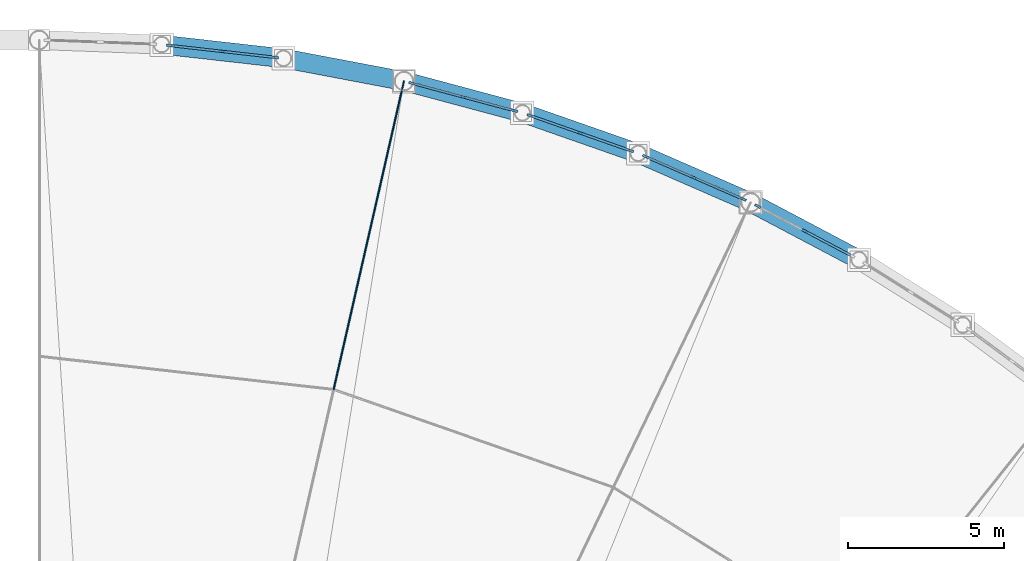
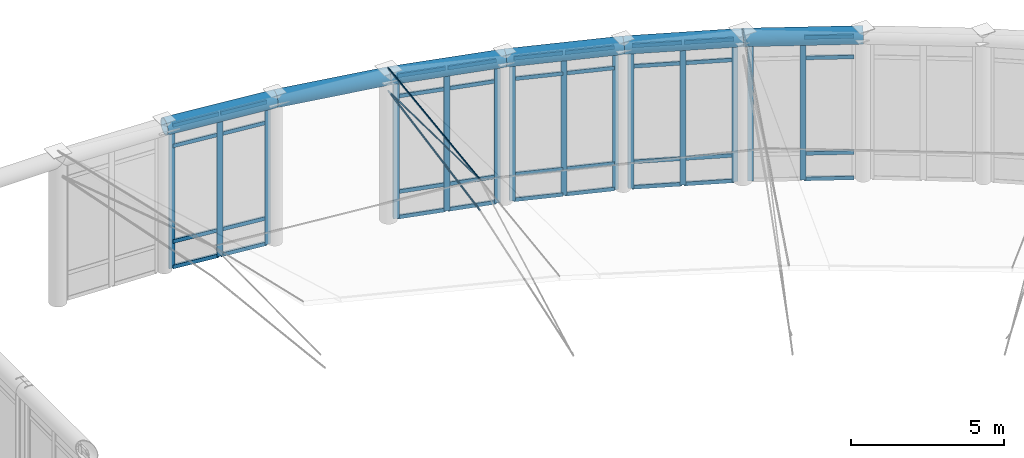
# One storey, part 60 of 101: 53 members, 6 beams, 5 elements without a shape of their own.
"""IFC4 building model written with IfcOpenShell, lengths in metres."""

from ifc_helpers import new_model, si_unit, direction, frame, origin, origin_2d, place, context, subcontext, project, spatial, rectangle, circle, hollow_circle, extrude, material, layer, layer_set, material_profile, profile_set, type_object, element, aggregate, save


model = new_model("IFC4")

# Units and contexts
model_context = context("Model", 3, precision=1e-05, world=origin(), true_north=direction((0.0, 1.0)))
body_context = subcontext(model_context, "Body", "Model", "MODEL_VIEW")
ifc_project = project(units=[si_unit("LENGTHUNIT", "METRE"), si_unit("AREAUNIT", "SQUARE_METRE"), si_unit("VOLUMEUNIT", "CUBIC_METRE"), si_unit("PLANEANGLEUNIT", "RADIAN"), si_unit("MASSUNIT", "GRAM", prefix="KILO"), si_unit("THERMODYNAMICTEMPERATUREUNIT", "KELVIN"), si_unit("POWERUNIT", "WATT")], contexts=[model_context])

# Site, building, storey
site_placement = place(None, origin())
site = spatial("IfcSite", under=ifc_project, at=site_placement, CompositionType="ELEMENT")
building_placement = place(site_placement, origin())
building = spatial("IfcBuilding", under=site, at=building_placement, Name="Tembeka Court Mobility Hub", CompositionType="ELEMENT")
storey_placement = place(building_placement, frame((0.0, 0.0, 5.39990234375)))
storey = spatial("IfcBuildingStorey", under=building, at=storey_placement, Name="L01", CompositionType="ELEMENT", Elevation=5.39990234375)

# Beams
ifc_material_1 = material(Name="Steel S355", Category="steel")
ifc_material_profile_1 = material_profile(ifc_material_1, hollow_circle(Radius=0.304931640625, WallThickness=0.02001953125, at=origin_2d()), Name="CHS 610x20")
ifc_profile_set_1 = profile_set([ifc_material_profile_1], Name="Steel S355")
beam_type = type_object("IfcBeamType", Name="BM-RB01", PredefinedType="BEAM", material=ifc_profile_set_1)
beam_1_placement = place(storey_placement, frame((150.14990234375, 111.766357421875, 5.695068359375), z_axis=(-0.884112924179, 0.467273300435, 0.0), x_axis=(-0.467273300435, -0.884112924179, 0.0)))
element("IfcBeam", 1, at=beam_1_placement, inside=storey, type_object=beam_type, Name="Concourse compression ring beam RB01-15", PredefinedType="BEAM", context=body_context, shape_type="SweptSolid", body=[
    extrude(hollow_circle(Radius=0.304931640625, WallThickness=0.02001953125, at=origin_2d()), origin(), (0.0, 0.0, 1.0), 3.926025390625),
])
beam_2_placement = place(storey_placement, frame((146.678955078125, 113.600830078125, 5.695068359375), z_axis=(-0.916562170604, 0.399892219752, 0.0), x_axis=(-0.399892219752, -0.916562170604, 0.0)))
element("IfcBeam", 2, at=beam_2_placement, inside=storey, type_object=beam_type, Name="Concourse compression ring beam RB01-16", PredefinedType="BEAM", context=body_context, shape_type="SweptSolid", body=[
    extrude(hollow_circle(Radius=0.304931640625, WallThickness=0.02001953125, at=origin_2d()), origin(), (0.0, 0.0, 1.0), 3.92626953125),
])
for number, where, z_axis, x_axis, name in (
    (3, (143.080322265625, 115.1708984375, 5.695068359375), (-0.943890344134, 0.330259016911, 0.0), (-0.330259016911, -0.943890344134, 0.0), "Concourse compression ring beam RB01-17"),
    (4, (139.37451171875, 116.467529296875, 5.695068359375), (-0.965926678318, 0.258815865265, 0.0), (-0.258815865265, -0.965926678318, 0.0), "Concourse compression ring beam RB01-18"),
    (5, (135.582275390625, 117.483642578125, 5.695068359375), (-0.982563184649, 0.185928986906, 0.0), (-0.185928986906, -0.982563184649, 0.0), "Concourse compression ring beam RB01-19"),
    (6, (131.724609375, 118.213623046875, 5.695068359375), (-0.993708844057, 0.11199434469, 0.0), (-0.11199434469, -0.993708844057, 0.0), "Concourse compression ring beam RB01-20"),
):
    element("IfcBeam", number, at=place(storey_placement, frame(where, z_axis=z_axis, x_axis=x_axis)), inside=storey, type_object=beam_type, Name=name, PredefinedType="BEAM", context=body_context, shape_type="SweptSolid", body=[
        extrude(hollow_circle(Radius=0.304931640625, WallThickness=0.02001953125, at=origin_2d()), origin(), (0.0, 0.0, 1.0), 3.926025390625),
    ])

# Curtain wall, members
ifc_material_2 = material(Name="Anodised aluminium 6063-T6", Category="aluminium")
ifc_layer = layer(ifc_material_2, 0.199951171875)
ifc_layer_set = layer_set([ifc_layer], Name="Anodised aluminium 6063-T6")
curtain_wall_type = type_object("IfcCurtainWallType", Name="CW-SYS25", PredefinedType="USERDEFINED", material=ifc_layer_set)
curtain_wall_1_placement = place(storey_placement, origin())
curtain_wall_1 = element("IfcCurtainWall", 7, at=curtain_wall_1_placement, inside=storey, type_object=curtain_wall_type, Name="Unitised curtain wall CW25 (CW-L01-072)", ObjectType="UNITISED GLAZING", PredefinedType="USERDEFINED")
ifc_material_profile_2 = material_profile(ifc_material_2, rectangle(XDim=0.074951171875, YDim=0.199951171875, at=origin_2d()), Name="ALU-MUL 75x200")
ifc_profile_set_2 = profile_set([ifc_material_profile_2], Name="Anodised aluminium 6063-T6")
member_type_1 = type_object("IfcMemberType", Name="CW-MUL02", PredefinedType="MULLION", material=ifc_profile_set_2)
member_1_placement = place(storey_placement, frame((148.41455078125, 112.68359375, 0.0), z_axis=(0.0, 0.0, 1.0), x_axis=(-0.467282662225, -0.884107976202, 0.0)))
member_1 = element("IfcMember", 8, at=member_1_placement, type_object=member_type_1, Name="CW25 mullion 2", PredefinedType="MULLION", context=body_context, shape_type="SweptSolid", body=[
    extrude(rectangle(XDim=0.074951171875, YDim=0.199951171875, at=origin_2d()), origin(), (0.0, 0.0, 1.0), 5.7001953125),
])
member_2_placement = place(storey_placement, frame((146.906494140625, 113.48046875, 0.0), z_axis=(0.0, 0.0, 1.0), x_axis=(-0.467282662225, -0.884107976202, 0.0)))
member_2 = element("IfcMember", 9, at=member_2_placement, type_object=member_type_1, Name="CW25 mullion 3", PredefinedType="MULLION", context=body_context, shape_type="SweptSolid", body=[
    extrude(rectangle(XDim=0.074951171875, YDim=0.199951171875, at=origin_2d()), origin(), (0.0, 0.0, 1.0), 5.7001953125),
])

curtain_wall_2_placement = place(storey_placement, origin())
curtain_wall_2 = element("IfcCurtainWall", 10, at=curtain_wall_2_placement, inside=storey, type_object=curtain_wall_type, Name="Unitised curtain wall CW25 (CW-L01-074)", ObjectType="UNITISED GLAZING", PredefinedType="USERDEFINED")
member_3_placement = place(storey_placement, frame((146.44287109375, 113.703857421875, 0.0), z_axis=(0.0, 0.0, 1.0), x_axis=(-0.399869097757, -0.916572258286, 0.0)))
member_3 = element("IfcMember", 11, at=member_3_placement, type_object=member_type_1, Name="CW25 mullion 1", PredefinedType="MULLION", context=body_context, shape_type="SweptSolid", body=[
    extrude(rectangle(XDim=0.074951171875, YDim=0.199951171875, at=origin_2d()), origin(), (0.0, 0.0, 1.0), 5.7001953125),
])
member_4_placement = place(storey_placement, frame((144.879638671875, 114.385986328125, 0.0), z_axis=(0.0, 0.0, 1.0), x_axis=(-0.399869097757, -0.916572258286, 0.0)))
member_4 = element("IfcMember", 12, at=member_4_placement, type_object=member_type_1, Name="CW25 mullion 2", PredefinedType="MULLION", context=body_context, shape_type="SweptSolid", body=[
    extrude(rectangle(XDim=0.074951171875, YDim=0.199951171875, at=origin_2d()), origin(), (0.0, 0.0, 1.0), 5.7001953125),
])
member_5_placement = place(storey_placement, frame((143.31640625, 115.06787109375, 0.0), z_axis=(0.0, 0.0, 1.0), x_axis=(-0.399869097757, -0.916572258286, 0.0)))
member_5 = element("IfcMember", 13, at=member_5_placement, type_object=member_type_1, Name="CW25 mullion 3", PredefinedType="MULLION", context=body_context, shape_type="SweptSolid", body=[
    extrude(rectangle(XDim=0.074951171875, YDim=0.199951171875, at=origin_2d()), origin(), (0.0, 0.0, 1.0), 5.7001953125),
])

curtain_wall_3_placement = place(storey_placement, origin())
curtain_wall_3 = element("IfcCurtainWall", 14, at=curtain_wall_3_placement, inside=storey, type_object=curtain_wall_type, Name="Unitised curtain wall CW25 (CW-L01-076)", ObjectType="UNITISED GLAZING", PredefinedType="USERDEFINED")
member_6_placement = place(storey_placement, frame((142.83740234375, 115.256103515625, 0.0), z_axis=(0.0, 0.0, 1.0), x_axis=(-0.330263534352, -0.943888763508, 0.0)))
member_6 = element("IfcMember", 15, at=member_6_placement, type_object=member_type_1, Name="CW25 mullion 1", PredefinedType="MULLION", context=body_context, shape_type="SweptSolid", body=[
    extrude(rectangle(XDim=0.074951171875, YDim=0.199951171875, at=origin_2d()), origin(), (0.0, 0.0, 1.0), 5.7001953125),
])
member_7_placement = place(storey_placement, frame((141.2275390625, 115.8193359375, 0.0), z_axis=(0.0, 0.0, 1.0), x_axis=(-0.330263534352, -0.943888763508, 0.0)))
member_7 = element("IfcMember", 16, at=member_7_placement, type_object=member_type_1, Name="CW25 mullion 2", PredefinedType="MULLION", context=body_context, shape_type="SweptSolid", body=[
    extrude(rectangle(XDim=0.074951171875, YDim=0.199951171875, at=origin_2d()), origin(), (0.0, 0.0, 1.0), 5.7001953125),
])
member_8_placement = place(storey_placement, frame((139.61767578125, 116.382568359375, 0.0), z_axis=(0.0, 0.0, 1.0), x_axis=(-0.330263534352, -0.943888763508, 0.0)))
member_8 = element("IfcMember", 17, at=member_8_placement, type_object=member_type_1, Name="CW25 mullion 3", PredefinedType="MULLION", context=body_context, shape_type="SweptSolid", body=[
    extrude(rectangle(XDim=0.074951171875, YDim=0.199951171875, at=origin_2d()), origin(), (0.0, 0.0, 1.0), 5.7001953125),
])

curtain_wall_4_placement = place(storey_placement, origin())
curtain_wall_4 = element("IfcCurtainWall", 18, at=curtain_wall_4_placement, inside=storey, type_object=curtain_wall_type, Name="Unitised curtain wall CW25 (CW-L01-078)", ObjectType="UNITISED GLAZING", PredefinedType="USERDEFINED")
member_9_placement = place(storey_placement, frame((139.1259765625, 116.5341796875, 0.0), z_axis=(0.0, 0.0, 1.0), x_axis=(-0.258828327951, -0.96592333891, 0.0)))
member_9 = element("IfcMember", 19, at=member_9_placement, type_object=member_type_1, Name="CW25 mullion 1", PredefinedType="MULLION", context=body_context, shape_type="SweptSolid", body=[
    extrude(rectangle(XDim=0.074951171875, YDim=0.199951171875, at=origin_2d()), origin(), (0.0, 0.0, 1.0), 5.7001953125),
])
member_10_placement = place(storey_placement, frame((137.478515625, 116.9755859375, 0.0), z_axis=(0.0, 0.0, 1.0), x_axis=(-0.258828327951, -0.96592333891, 0.0)))
member_10 = element("IfcMember", 20, at=member_10_placement, type_object=member_type_1, Name="CW25 mullion 2", PredefinedType="MULLION", context=body_context, shape_type="SweptSolid", body=[
    extrude(rectangle(XDim=0.074951171875, YDim=0.199951171875, at=origin_2d()), origin(), (0.0, 0.0, 1.0), 5.7001953125),
])
member_11_placement = place(storey_placement, frame((135.8310546875, 117.4169921875, 0.0), z_axis=(0.0, 0.0, 1.0), x_axis=(-0.258828327951, -0.96592333891, 0.0)))
member_11 = element("IfcMember", 21, at=member_11_placement, type_object=member_type_1, Name="CW25 mullion 3", PredefinedType="MULLION", context=body_context, shape_type="SweptSolid", body=[
    extrude(rectangle(XDim=0.074951171875, YDim=0.199951171875, at=origin_2d()), origin(), (0.0, 0.0, 1.0), 5.7001953125),
])

curtain_wall_5_placement = place(storey_placement, origin())
curtain_wall_5 = element("IfcCurtainWall", 22, at=curtain_wall_5_placement, inside=storey, type_object=curtain_wall_type, Name="Unitised curtain wall CW25 (CW-L01-080)", ObjectType="UNITISED GLAZING", PredefinedType="USERDEFINED")
member_12_placement = place(storey_placement, frame((131.46875, 118.242431640625, 0.0), z_axis=(0.0, 0.0, 1.0), x_axis=(-0.111986683735, -0.993709707443, 0.0)))
member_12 = element("IfcMember", 23, at=member_12_placement, type_object=member_type_1, Name="CW25 mullion 1", PredefinedType="MULLION", context=body_context, shape_type="SweptSolid", body=[
    extrude(rectangle(XDim=0.074951171875, YDim=0.199951171875, at=origin_2d()), origin(), (0.0, 0.0, 1.0), 5.7001953125),
])
member_13_placement = place(storey_placement, frame((129.77392578125, 118.433349609375, 0.0), z_axis=(0.0, 0.0, 1.0), x_axis=(-0.111986683735, -0.993709707443, 0.0)))
member_13 = element("IfcMember", 24, at=member_13_placement, type_object=member_type_1, Name="CW25 mullion 2", PredefinedType="MULLION", context=body_context, shape_type="SweptSolid", body=[
    extrude(rectangle(XDim=0.074951171875, YDim=0.199951171875, at=origin_2d()), origin(), (0.0, 0.0, 1.0), 5.7001953125),
])
member_14_placement = place(storey_placement, frame((128.0791015625, 118.62451171875, 0.0), z_axis=(0.0, 0.0, 1.0), x_axis=(-0.111986683735, -0.993709707443, 0.0)))
member_14 = element("IfcMember", 25, at=member_14_placement, type_object=member_type_1, Name="CW25 mullion 3", PredefinedType="MULLION", context=body_context, shape_type="SweptSolid", body=[
    extrude(rectangle(XDim=0.074951171875, YDim=0.199951171875, at=origin_2d()), origin(), (0.0, 0.0, 1.0), 5.7001953125),
])

# Member
ifc_material_profile_3 = material_profile(ifc_material_2, rectangle(XDim=0.074951171875, YDim=0.14990234375, at=origin_2d()), Name="ALU-TRN 75x150")
ifc_profile_set_3 = profile_set([ifc_material_profile_3], Name="Anodised aluminium 6063-T6")
member_type_2 = type_object("IfcMemberType", Name="CW-TRN02", PredefinedType="USERDEFINED", material=ifc_profile_set_3)
member_15_placement = place(storey_placement, frame((149.88916015625, 111.904052734375, 0.03759765625), z_axis=(-0.884108194954, 0.467282248341, 0.0), x_axis=(-0.467282248341, -0.884108194954, 0.0)))
member_15 = element("IfcMember", 26, at=member_15_placement, type_object=member_type_2, Name="CW25 transom 1.1", ObjectType="TRANSOM", PredefinedType="USERDEFINED", context=body_context, shape_type="SweptSolid", body=[
    extrude(rectangle(XDim=0.074951171875, YDim=0.14990234375, at=origin_2d()), origin(), (0.0, 0.0, 1.0), 1.630615234375),
])

member_16_placement = place(storey_placement, frame((149.88916015625, 111.904052734375, 1.050048828125), z_axis=(-0.884108194954, 0.467282248341, 0.0), x_axis=(-0.467282248341, -0.884108194954, 0.0)))
member_16 = element("IfcMember", 27, at=member_16_placement, type_object=member_type_2, Name="CW25 transom 1.2", ObjectType="TRANSOM", PredefinedType="USERDEFINED", context=body_context, shape_type="SweptSolid", body=[
    extrude(rectangle(XDim=0.074951171875, YDim=0.14990234375, at=origin_2d()), origin(), (0.0, 0.0, 1.0), 1.630615234375),
])

member_17_placement = place(storey_placement, frame((149.88916015625, 111.904052734375, 4.85009765625), z_axis=(-0.884108194954, 0.467282248341, 0.0), x_axis=(-0.467282248341, -0.884108194954, 0.0)))
member_17 = element("IfcMember", 28, at=member_17_placement, type_object=member_type_2, Name="CW25 transom 1.3", ObjectType="TRANSOM", PredefinedType="USERDEFINED", context=body_context, shape_type="SweptSolid", body=[
    extrude(rectangle(XDim=0.074951171875, YDim=0.14990234375, at=origin_2d()), origin(), (0.0, 0.0, 1.0), 1.630615234375),
])

member_18_placement = place(storey_placement, frame((149.88916015625, 111.904052734375, 5.66259765625), z_axis=(-0.884108194954, 0.467282248341, 0.0), x_axis=(-0.467282248341, -0.884108194954, 0.0)))
member_18 = element("IfcMember", 29, at=member_18_placement, type_object=member_type_2, Name="CW25 transom 1.4", ObjectType="TRANSOM", PredefinedType="USERDEFINED", context=body_context, shape_type="SweptSolid", body=[
    extrude(rectangle(XDim=0.074951171875, YDim=0.14990234375, at=origin_2d()), origin(), (0.0, 0.0, 1.0), 1.630615234375),
])

aggregate(curtain_wall_1, [member_1, member_2, member_15, member_16, member_17, member_18])

member_19_placement = place(storey_placement, frame((146.408447265625, 113.718994140625, 0.03759765625), z_axis=(-0.91659326352, 0.399820946512, 0.0), x_axis=(-0.399820946512, -0.91659326352, 0.0)))
member_19 = element("IfcMember", 30, at=member_19_placement, type_object=member_type_2, Name="CW25 transom 1.1", ObjectType="TRANSOM", PredefinedType="USERDEFINED", context=body_context, shape_type="SweptSolid", body=[
    extrude(rectangle(XDim=0.074951171875, YDim=0.14990234375, at=origin_2d()), origin(), (0.0, 0.0, 1.0), 1.63037109375),
])

member_20_placement = place(storey_placement, frame((146.408447265625, 113.718994140625, 1.050048828125), z_axis=(-0.91659326352, 0.399820946512, 0.0), x_axis=(-0.399820946512, -0.91659326352, 0.0)))
member_20 = element("IfcMember", 31, at=member_20_placement, type_object=member_type_2, Name="CW25 transom 1.2", ObjectType="TRANSOM", PredefinedType="USERDEFINED", context=body_context, shape_type="SweptSolid", body=[
    extrude(rectangle(XDim=0.074951171875, YDim=0.14990234375, at=origin_2d()), origin(), (0.0, 0.0, 1.0), 1.63037109375),
])

member_21_placement = place(storey_placement, frame((146.408447265625, 113.718994140625, 4.85009765625), z_axis=(-0.91659326352, 0.399820946512, 0.0), x_axis=(-0.399820946512, -0.91659326352, 0.0)))
member_21 = element("IfcMember", 32, at=member_21_placement, type_object=member_type_2, Name="CW25 transom 1.3", ObjectType="TRANSOM", PredefinedType="USERDEFINED", context=body_context, shape_type="SweptSolid", body=[
    extrude(rectangle(XDim=0.074951171875, YDim=0.14990234375, at=origin_2d()), origin(), (0.0, 0.0, 1.0), 1.63037109375),
])

member_22_placement = place(storey_placement, frame((146.408447265625, 113.718994140625, 5.66259765625), z_axis=(-0.91659326352, 0.399820946512, 0.0), x_axis=(-0.399820946512, -0.91659326352, 0.0)))
member_22 = element("IfcMember", 33, at=member_22_placement, type_object=member_type_2, Name="CW25 transom 1.4", ObjectType="TRANSOM", PredefinedType="USERDEFINED", context=body_context, shape_type="SweptSolid", body=[
    extrude(rectangle(XDim=0.074951171875, YDim=0.14990234375, at=origin_2d()), origin(), (0.0, 0.0, 1.0), 1.63037109375),
])

member_23_placement = place(storey_placement, frame((144.84521484375, 114.40087890625, 0.03759765625), z_axis=(-0.916538380399, 0.399946743023, 0.0), x_axis=(-0.399946743023, -0.916538380399, 0.0)))
member_23 = element("IfcMember", 34, at=member_23_placement, type_object=member_type_2, Name="CW25 transom 2.1", ObjectType="TRANSOM", PredefinedType="USERDEFINED", context=body_context, shape_type="SweptSolid", body=[
    extrude(rectangle(XDim=0.074951171875, YDim=0.14990234375, at=origin_2d()), origin(), (0.0, 0.0, 1.0), 1.63037109375),
])

member_24_placement = place(storey_placement, frame((144.84521484375, 114.40087890625, 1.050048828125), z_axis=(-0.916538380399, 0.399946743023, 0.0), x_axis=(-0.399946743023, -0.916538380399, 0.0)))
member_24 = element("IfcMember", 35, at=member_24_placement, type_object=member_type_2, Name="CW25 transom 2.2", ObjectType="TRANSOM", PredefinedType="USERDEFINED", context=body_context, shape_type="SweptSolid", body=[
    extrude(rectangle(XDim=0.074951171875, YDim=0.14990234375, at=origin_2d()), origin(), (0.0, 0.0, 1.0), 1.63037109375),
])

member_25_placement = place(storey_placement, frame((144.84521484375, 114.40087890625, 4.85009765625), z_axis=(-0.916538380399, 0.399946743023, 0.0), x_axis=(-0.399946743023, -0.916538380399, 0.0)))
member_25 = element("IfcMember", 36, at=member_25_placement, type_object=member_type_2, Name="CW25 transom 2.3", ObjectType="TRANSOM", PredefinedType="USERDEFINED", context=body_context, shape_type="SweptSolid", body=[
    extrude(rectangle(XDim=0.074951171875, YDim=0.14990234375, at=origin_2d()), origin(), (0.0, 0.0, 1.0), 1.63037109375),
])

member_26_placement = place(storey_placement, frame((144.84521484375, 114.40087890625, 5.66259765625), z_axis=(-0.916538380399, 0.399946743023, 0.0), x_axis=(-0.399946743023, -0.916538380399, 0.0)))
member_26 = element("IfcMember", 37, at=member_26_placement, type_object=member_type_2, Name="CW25 transom 2.4", ObjectType="TRANSOM", PredefinedType="USERDEFINED", context=body_context, shape_type="SweptSolid", body=[
    extrude(rectangle(XDim=0.074951171875, YDim=0.14990234375, at=origin_2d()), origin(), (0.0, 0.0, 1.0), 1.63037109375),
])

aggregate(curtain_wall_2, [member_3, member_4, member_5, member_19, member_20, member_21, member_22, member_23, member_24, member_25, member_26])

member_27_placement = place(storey_placement, frame((142.802001953125, 115.268310546875, 0.03759765625), z_axis=(-0.94387702901, 0.330297069479, 0.0), x_axis=(-0.330297069479, -0.94387702901, 0.0)))
member_27 = element("IfcMember", 38, at=member_27_placement, type_object=member_type_2, Name="CW25 transom 1.1", ObjectType="TRANSOM", PredefinedType="USERDEFINED", context=body_context, shape_type="SweptSolid", body=[
    extrude(rectangle(XDim=0.074951171875, YDim=0.14990234375, at=origin_2d()), origin(), (0.0, 0.0, 1.0), 1.630615234375),
])

member_28_placement = place(storey_placement, frame((142.802001953125, 115.268310546875, 1.050048828125), z_axis=(-0.94387702901, 0.330297069479, 0.0), x_axis=(-0.330297069479, -0.94387702901, 0.0)))
member_28 = element("IfcMember", 39, at=member_28_placement, type_object=member_type_2, Name="CW25 transom 1.2", ObjectType="TRANSOM", PredefinedType="USERDEFINED", context=body_context, shape_type="SweptSolid", body=[
    extrude(rectangle(XDim=0.074951171875, YDim=0.14990234375, at=origin_2d()), origin(), (0.0, 0.0, 1.0), 1.630615234375),
])

member_29_placement = place(storey_placement, frame((142.802001953125, 115.268310546875, 4.85009765625), z_axis=(-0.94387702901, 0.330297069479, 0.0), x_axis=(-0.330297069479, -0.94387702901, 0.0)))
member_29 = element("IfcMember", 40, at=member_29_placement, type_object=member_type_2, Name="CW25 transom 1.3", ObjectType="TRANSOM", PredefinedType="USERDEFINED", context=body_context, shape_type="SweptSolid", body=[
    extrude(rectangle(XDim=0.074951171875, YDim=0.14990234375, at=origin_2d()), origin(), (0.0, 0.0, 1.0), 1.630615234375),
])

member_30_placement = place(storey_placement, frame((142.802001953125, 115.268310546875, 5.66259765625), z_axis=(-0.94387702901, 0.330297069479, 0.0), x_axis=(-0.330297069479, -0.94387702901, 0.0)))
member_30 = element("IfcMember", 41, at=member_30_placement, type_object=member_type_2, Name="CW25 transom 1.4", ObjectType="TRANSOM", PredefinedType="USERDEFINED", context=body_context, shape_type="SweptSolid", body=[
    extrude(rectangle(XDim=0.074951171875, YDim=0.14990234375, at=origin_2d()), origin(), (0.0, 0.0, 1.0), 1.630615234375),
])

member_31_placement = place(storey_placement, frame((141.192138671875, 115.83154296875, 0.03759765625), z_axis=(-0.94387702901, 0.330297069479, 0.0), x_axis=(-0.330297069479, -0.94387702901, 0.0)))
member_31 = element("IfcMember", 42, at=member_31_placement, type_object=member_type_2, Name="CW25 transom 2.1", ObjectType="TRANSOM", PredefinedType="USERDEFINED", context=body_context, shape_type="SweptSolid", body=[
    extrude(rectangle(XDim=0.074951171875, YDim=0.14990234375, at=origin_2d()), origin(), (0.0, 0.0, 1.0), 1.630615234375),
])

member_32_placement = place(storey_placement, frame((141.192138671875, 115.83154296875, 1.050048828125), z_axis=(-0.94387702901, 0.330297069479, 0.0), x_axis=(-0.330297069479, -0.94387702901, 0.0)))
member_32 = element("IfcMember", 43, at=member_32_placement, type_object=member_type_2, Name="CW25 transom 2.2", ObjectType="TRANSOM", PredefinedType="USERDEFINED", context=body_context, shape_type="SweptSolid", body=[
    extrude(rectangle(XDim=0.074951171875, YDim=0.14990234375, at=origin_2d()), origin(), (0.0, 0.0, 1.0), 1.630615234375),
])

member_33_placement = place(storey_placement, frame((141.192138671875, 115.83154296875, 4.85009765625), z_axis=(-0.94387702901, 0.330297069479, 0.0), x_axis=(-0.330297069479, -0.94387702901, 0.0)))
member_33 = element("IfcMember", 44, at=member_33_placement, type_object=member_type_2, Name="CW25 transom 2.3", ObjectType="TRANSOM", PredefinedType="USERDEFINED", context=body_context, shape_type="SweptSolid", body=[
    extrude(rectangle(XDim=0.074951171875, YDim=0.14990234375, at=origin_2d()), origin(), (0.0, 0.0, 1.0), 1.630615234375),
])

member_34_placement = place(storey_placement, frame((141.192138671875, 115.83154296875, 5.66259765625), z_axis=(-0.94387702901, 0.330297069479, 0.0), x_axis=(-0.330297069479, -0.94387702901, 0.0)))
member_34 = element("IfcMember", 45, at=member_34_placement, type_object=member_type_2, Name="CW25 transom 2.4", ObjectType="TRANSOM", PredefinedType="USERDEFINED", context=body_context, shape_type="SweptSolid", body=[
    extrude(rectangle(XDim=0.074951171875, YDim=0.14990234375, at=origin_2d()), origin(), (0.0, 0.0, 1.0), 1.630615234375),
])

aggregate(curtain_wall_3, [member_6, member_7, member_8, member_27, member_28, member_29, member_30, member_31, member_32, member_33, member_34])

member_35_placement = place(storey_placement, frame((139.089599609375, 116.5439453125, 0.03759765625), z_axis=(-0.965908614195, 0.258883272972, 0.0), x_axis=(-0.258883272972, -0.965908614195, 0.0)))
member_35 = element("IfcMember", 46, at=member_35_placement, type_object=member_type_2, Name="CW25 transom 1.1", ObjectType="TRANSOM", PredefinedType="USERDEFINED", context=body_context, shape_type="SweptSolid", body=[
    extrude(rectangle(XDim=0.074951171875, YDim=0.14990234375, at=origin_2d()), origin(), (0.0, 0.0, 1.0), 1.630615234375),
])

member_36_placement = place(storey_placement, frame((139.089599609375, 116.5439453125, 1.050048828125), z_axis=(-0.965908614195, 0.258883272972, 0.0), x_axis=(-0.258883272972, -0.965908614195, 0.0)))
member_36 = element("IfcMember", 47, at=member_36_placement, type_object=member_type_2, Name="CW25 transom 1.2", ObjectType="TRANSOM", PredefinedType="USERDEFINED", context=body_context, shape_type="SweptSolid", body=[
    extrude(rectangle(XDim=0.074951171875, YDim=0.14990234375, at=origin_2d()), origin(), (0.0, 0.0, 1.0), 1.630615234375),
])

member_37_placement = place(storey_placement, frame((139.089599609375, 116.5439453125, 4.85009765625), z_axis=(-0.965908614195, 0.258883272972, 0.0), x_axis=(-0.258883272972, -0.965908614195, 0.0)))
member_37 = element("IfcMember", 48, at=member_37_placement, type_object=member_type_2, Name="CW25 transom 1.3", ObjectType="TRANSOM", PredefinedType="USERDEFINED", context=body_context, shape_type="SweptSolid", body=[
    extrude(rectangle(XDim=0.074951171875, YDim=0.14990234375, at=origin_2d()), origin(), (0.0, 0.0, 1.0), 1.630615234375),
])

member_38_placement = place(storey_placement, frame((139.089599609375, 116.5439453125, 5.66259765625), z_axis=(-0.965908614195, 0.258883272972, 0.0), x_axis=(-0.258883272972, -0.965908614195, 0.0)))
member_38 = element("IfcMember", 49, at=member_38_placement, type_object=member_type_2, Name="CW25 transom 1.4", ObjectType="TRANSOM", PredefinedType="USERDEFINED", context=body_context, shape_type="SweptSolid", body=[
    extrude(rectangle(XDim=0.074951171875, YDim=0.14990234375, at=origin_2d()), origin(), (0.0, 0.0, 1.0), 1.630615234375),
])

member_39_placement = place(storey_placement, frame((137.442138671875, 116.9853515625, 0.03759765625), z_axis=(-0.965908614195, 0.258883272972, 0.0), x_axis=(-0.258883272972, -0.965908614195, 0.0)))
member_39 = element("IfcMember", 50, at=member_39_placement, type_object=member_type_2, Name="CW25 transom 2.1", ObjectType="TRANSOM", PredefinedType="USERDEFINED", context=body_context, shape_type="SweptSolid", body=[
    extrude(rectangle(XDim=0.074951171875, YDim=0.14990234375, at=origin_2d()), origin(), (0.0, 0.0, 1.0), 1.630615234375),
])

member_40_placement = place(storey_placement, frame((137.442138671875, 116.9853515625, 1.050048828125), z_axis=(-0.965908614195, 0.258883272972, 0.0), x_axis=(-0.258883272972, -0.965908614195, 0.0)))
member_40 = element("IfcMember", 51, at=member_40_placement, type_object=member_type_2, Name="CW25 transom 2.2", ObjectType="TRANSOM", PredefinedType="USERDEFINED", context=body_context, shape_type="SweptSolid", body=[
    extrude(rectangle(XDim=0.074951171875, YDim=0.14990234375, at=origin_2d()), origin(), (0.0, 0.0, 1.0), 1.630615234375),
])

member_41_placement = place(storey_placement, frame((137.442138671875, 116.9853515625, 4.85009765625), z_axis=(-0.965908614195, 0.258883272972, 0.0), x_axis=(-0.258883272972, -0.965908614195, 0.0)))
member_41 = element("IfcMember", 52, at=member_41_placement, type_object=member_type_2, Name="CW25 transom 2.3", ObjectType="TRANSOM", PredefinedType="USERDEFINED", context=body_context, shape_type="SweptSolid", body=[
    extrude(rectangle(XDim=0.074951171875, YDim=0.14990234375, at=origin_2d()), origin(), (0.0, 0.0, 1.0), 1.630615234375),
])

member_42_placement = place(storey_placement, frame((137.442138671875, 116.9853515625, 5.66259765625), z_axis=(-0.965908614195, 0.258883272972, 0.0), x_axis=(-0.258883272972, -0.965908614195, 0.0)))
member_42 = element("IfcMember", 53, at=member_42_placement, type_object=member_type_2, Name="CW25 transom 2.4", ObjectType="TRANSOM", PredefinedType="USERDEFINED", context=body_context, shape_type="SweptSolid", body=[
    extrude(rectangle(XDim=0.074951171875, YDim=0.14990234375, at=origin_2d()), origin(), (0.0, 0.0, 1.0), 1.630615234375),
])

aggregate(curtain_wall_4, [member_9, member_10, member_11, member_35, member_36, member_37, member_38, member_39, member_40, member_41, member_42])

member_43_placement = place(storey_placement, frame((131.431640625, 118.24658203125, 0.03759765625), z_axis=(-0.99370904947, 0.111992522074, 0.0), x_axis=(-0.111992522074, -0.99370904947, 0.0)))
member_43 = element("IfcMember", 54, at=member_43_placement, type_object=member_type_2, Name="CW25 transom 1.1", ObjectType="TRANSOM", PredefinedType="USERDEFINED", context=body_context, shape_type="SweptSolid", body=[
    extrude(rectangle(XDim=0.074951171875, YDim=0.14990234375, at=origin_2d()), origin(), (0.0, 0.0, 1.0), 1.630615234375),
])

member_44_placement = place(storey_placement, frame((131.431640625, 118.24658203125, 1.050048828125), z_axis=(-0.99370904947, 0.111992522074, 0.0), x_axis=(-0.111992522074, -0.99370904947, 0.0)))
member_44 = element("IfcMember", 55, at=member_44_placement, type_object=member_type_2, Name="CW25 transom 1.2", ObjectType="TRANSOM", PredefinedType="USERDEFINED", context=body_context, shape_type="SweptSolid", body=[
    extrude(rectangle(XDim=0.074951171875, YDim=0.14990234375, at=origin_2d()), origin(), (0.0, 0.0, 1.0), 1.630615234375),
])

member_45_placement = place(storey_placement, frame((131.431640625, 118.24658203125, 4.85009765625), z_axis=(-0.99370904947, 0.111992522074, 0.0), x_axis=(-0.111992522074, -0.99370904947, 0.0)))
member_45 = element("IfcMember", 56, at=member_45_placement, type_object=member_type_2, Name="CW25 transom 1.3", ObjectType="TRANSOM", PredefinedType="USERDEFINED", context=body_context, shape_type="SweptSolid", body=[
    extrude(rectangle(XDim=0.074951171875, YDim=0.14990234375, at=origin_2d()), origin(), (0.0, 0.0, 1.0), 1.630615234375),
])

member_46_placement = place(storey_placement, frame((131.431640625, 118.24658203125, 5.66259765625), z_axis=(-0.99370904947, 0.111992522074, 0.0), x_axis=(-0.111992522074, -0.99370904947, 0.0)))
member_46 = element("IfcMember", 57, at=member_46_placement, type_object=member_type_2, Name="CW25 transom 1.4", ObjectType="TRANSOM", PredefinedType="USERDEFINED", context=body_context, shape_type="SweptSolid", body=[
    extrude(rectangle(XDim=0.074951171875, YDim=0.14990234375, at=origin_2d()), origin(), (0.0, 0.0, 1.0), 1.630615234375),
])

member_47_placement = place(storey_placement, frame((129.73681640625, 118.4375, 0.03759765625), z_axis=(-0.99370904947, 0.111992522074, 0.0), x_axis=(-0.111992522074, -0.99370904947, 0.0)))
member_47 = element("IfcMember", 58, at=member_47_placement, type_object=member_type_2, Name="CW25 transom 2.1", ObjectType="TRANSOM", PredefinedType="USERDEFINED", context=body_context, shape_type="SweptSolid", body=[
    extrude(rectangle(XDim=0.074951171875, YDim=0.14990234375, at=origin_2d()), origin(), (0.0, 0.0, 1.0), 1.630615234375),
])

member_48_placement = place(storey_placement, frame((129.73681640625, 118.4375, 1.050048828125), z_axis=(-0.99370904947, 0.111992522074, 0.0), x_axis=(-0.111992522074, -0.99370904947, 0.0)))
member_48 = element("IfcMember", 59, at=member_48_placement, type_object=member_type_2, Name="CW25 transom 2.2", ObjectType="TRANSOM", PredefinedType="USERDEFINED", context=body_context, shape_type="SweptSolid", body=[
    extrude(rectangle(XDim=0.074951171875, YDim=0.14990234375, at=origin_2d()), origin(), (0.0, 0.0, 1.0), 1.630615234375),
])

member_49_placement = place(storey_placement, frame((129.73681640625, 118.4375, 4.85009765625), z_axis=(-0.99370904947, 0.111992522074, 0.0), x_axis=(-0.111992522074, -0.99370904947, 0.0)))
member_49 = element("IfcMember", 60, at=member_49_placement, type_object=member_type_2, Name="CW25 transom 2.3", ObjectType="TRANSOM", PredefinedType="USERDEFINED", context=body_context, shape_type="SweptSolid", body=[
    extrude(rectangle(XDim=0.074951171875, YDim=0.14990234375, at=origin_2d()), origin(), (0.0, 0.0, 1.0), 1.630615234375),
])

member_50_placement = place(storey_placement, frame((129.73681640625, 118.4375, 5.66259765625), z_axis=(-0.99370904947, 0.111992522074, 0.0), x_axis=(-0.111992522074, -0.99370904947, 0.0)))
member_50 = element("IfcMember", 61, at=member_50_placement, type_object=member_type_2, Name="CW25 transom 2.4", ObjectType="TRANSOM", PredefinedType="USERDEFINED", context=body_context, shape_type="SweptSolid", body=[
    extrude(rectangle(XDim=0.074951171875, YDim=0.14990234375, at=origin_2d()), origin(), (0.0, 0.0, 1.0), 1.630615234375),
])

aggregate(curtain_wall_5, [member_12, member_13, member_14, member_43, member_44, member_45, member_46, member_47, member_48, member_49, member_50])

# Members
ifc_material_3 = material(Name="Steel S460", Category="steel")
ifc_material_profile_4 = material_profile(ifc_material_3, circle(Radius=0.031982421875, at=origin_2d()), Name="CABLE D64")
ifc_profile_set_4 = profile_set([ifc_material_profile_4], Name="Steel S460")
member_type_3 = type_object("IfcMemberType", Name="MEM-CB01", PredefinedType="USERDEFINED", material=ifc_profile_set_4)
member_51_placement = place(storey_placement, frame((133.329345703125, 107.612548828125, 8.35009765625), z_axis=(0.21675099133, 0.949683147102, -0.226099376088), x_axis=(-0.974929691537, 0.222513137948, 0.0)))
element("IfcMember", 62, at=member_51_placement, inside=storey, type_object=member_type_3, Name="Concourse radial ridge cable CB01-7-4", ObjectType="CABLE", PredefinedType="USERDEFINED", context=body_context, shape_type="SweptSolid", body=[
    extrude(circle(Radius=0.031982421875, at=origin_2d()), origin(), (0.0, 0.0, 1.0), 10.39404296875),
])
ifc_material_profile_5 = material_profile(ifc_material_3, circle(Radius=0.02392578125, at=origin_2d()), Name="CABLE D48")
ifc_profile_set_5 = profile_set([ifc_material_profile_5], Name="Steel S460")
member_type_4 = type_object("IfcMemberType", Name="MEM-CB02", PredefinedType="USERDEFINED", material=ifc_profile_set_5)
member_52_placement = place(storey_placement, frame((133.329345703125, 107.612548828125, 7.125), z_axis=(0.218192428881, 0.955998730442, -0.1961083664), x_axis=(-0.974929691537, 0.222513137948, 0.0)))
element("IfcMember", 63, at=member_52_placement, inside=storey, type_object=member_type_4, Name="Concourse radial valley cable CB02-7-4", ObjectType="CABLE", PredefinedType="USERDEFINED", context=body_context, shape_type="SweptSolid", body=[
    extrude(circle(Radius=0.02392578125, at=origin_2d()), origin(), (0.0, 0.0, 1.0), 10.325439453125),
])
ifc_material_profile_6 = material_profile(ifc_material_3, circle(Radius=0.01806640625, at=origin_2d()), Name="CABLE D36")
ifc_profile_set_6 = profile_set([ifc_material_profile_6], Name="Steel S460")
member_type_5 = type_object("IfcMemberType", Name="MEM-CB03", PredefinedType="USERDEFINED", material=ifc_profile_set_6)
member_53_placement = place(storey_placement, frame((133.329345703125, 107.612548828125, 8.35009765625), z_axis=(0.211865921228, 0.928279467606, -0.305630596379), x_axis=(-0.974929691537, 0.222513137948, 0.0)))
element("IfcMember", 64, at=member_53_placement, inside=storey, type_object=member_type_5, Name="Concourse Jawerth web cable CB03-7-4", ObjectType="CABLE", PredefinedType="USERDEFINED", context=body_context, shape_type="SweptSolid", body=[
    extrude(circle(Radius=0.01806640625, at=origin_2d()), origin(), (0.0, 0.0, 1.0), 10.6337890625),
])

save(model, "model.ifc")
